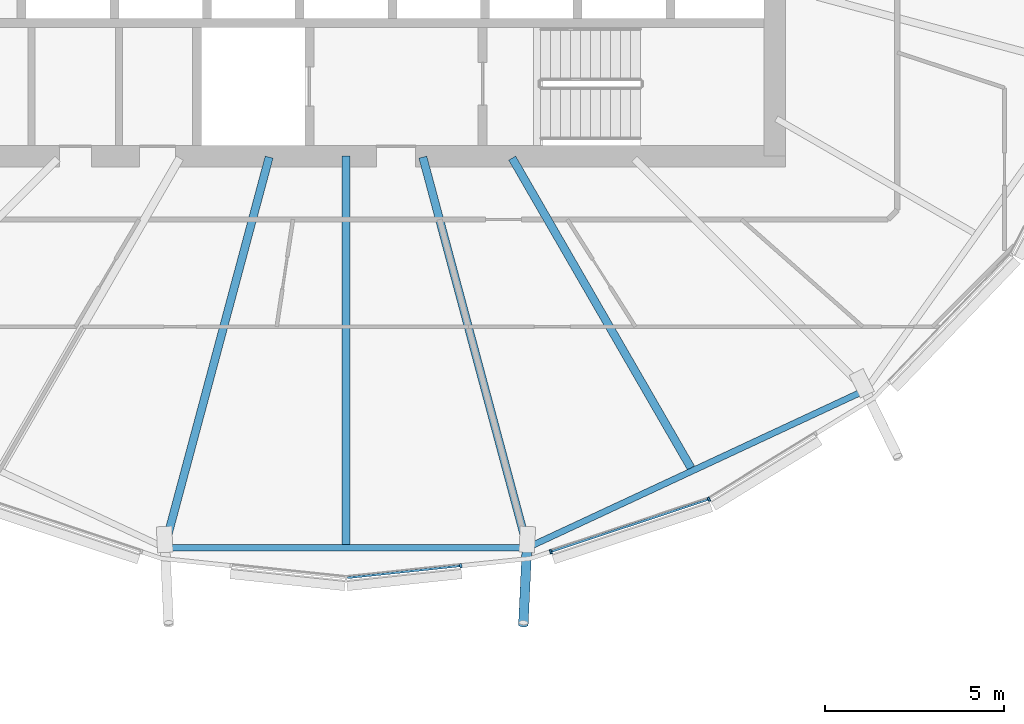
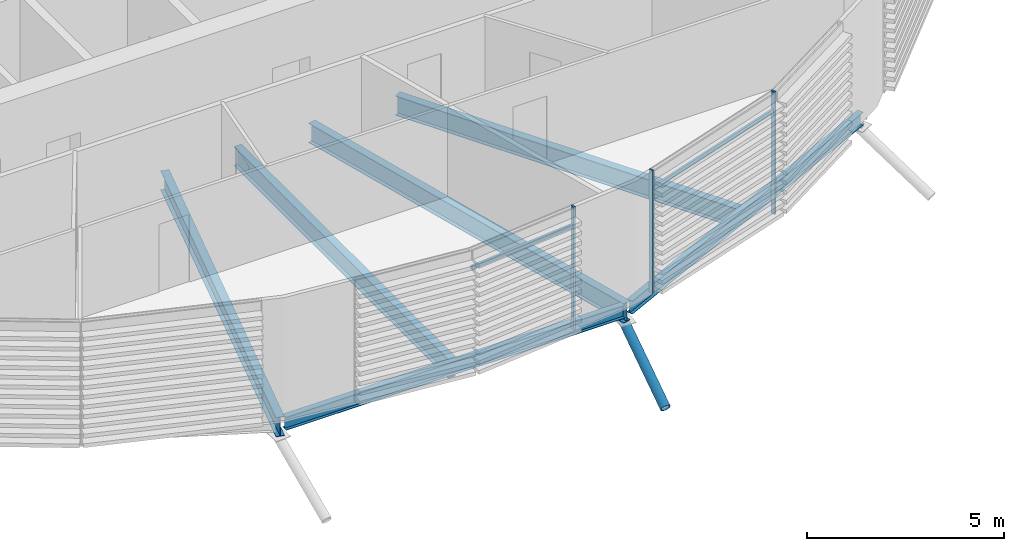
# One storey, part 4 of 36: 6 beams, 6 members, 1 element without a shape of its own.
"""IFC4 building model written with IfcOpenShell, lengths in metres."""

from ifc_helpers import new_model, si_unit, direction, frame, origin, origin_2d, place, context, subcontext, project, spatial, rectangle, hollow_circle, i_section, extrude, clip, halfspace, material, material_profile, profile_set, type_object, element, aggregate, save


model = new_model("IFC4")

# Units and contexts
model_context = context("Model", 3, precision=1e-05, world=origin(), true_north=direction((0.0, 1.0)))
body_context = subcontext(model_context, "Body", "Model", "MODEL_VIEW")
ifc_project = project(units=[si_unit("LENGTHUNIT", "METRE"), si_unit("AREAUNIT", "SQUARE_METRE"), si_unit("VOLUMEUNIT", "CUBIC_METRE"), si_unit("PLANEANGLEUNIT", "RADIAN"), si_unit("MASSUNIT", "GRAM", prefix="KILO")], contexts=[model_context])

# Site, building, storey
site_placement = place(None, origin())
site = spatial("IfcSite", under=ifc_project, at=site_placement, CompositionType="ELEMENT")
building_placement = place(site_placement, origin())
building = spatial("IfcBuilding", under=site, at=building_placement, Name="Rimbun Link Towers", CompositionType="ELEMENT")
storey_placement = place(building_placement, frame((0.0, 0.0, 174.10009765625)))
storey = spatial("IfcBuildingStorey", under=building, at=storey_placement, Name="L42", CompositionType="ELEMENT", Elevation=174.10009765625)

# Curtain wall, members
ifc_material_1 = material(Name="Aluminium 6063-T6 and low-iron glass", Category="aluminium")
curtain_wall_type = type_object("IfcCurtainWallType", Name="CW1-Z3 unitised vision wall (zone 3)", PredefinedType="NOTDEFINED", material=ifc_material_1)
curtain_wall_placement = place(storey_placement, origin())
curtain_wall = element("IfcCurtainWall", 1, at=curtain_wall_placement, inside=storey, type_object=curtain_wall_type, Name="CW1 L42 T1", PredefinedType="NOTDEFINED")
ifc_material_2 = material(Name="Aluminium 6063-T6", Category="aluminium")
ifc_material_profile_1 = material_profile(ifc_material_2, rectangle(XDim=0.1201171875, YDim=0.06005859375, at=origin_2d()), Name="MULLION 60X120")
ifc_profile_set_1 = profile_set([ifc_material_profile_1], Name="Aluminium 6063-T6")
member_type_1 = type_object("IfcMemberType", Name="CW1 mullion 60X120", PredefinedType="MULLION", material=ifc_profile_set_1)
member_1_placement = place(storey_placement, frame((-28.53662109375, -19.470458984375, 0.0), z_axis=(0.0, 0.0, 1.0), x_axis=(0.104737092036, -0.994499945476, 0.0)))
member_1 = element("IfcMember", 2, at=member_1_placement, type_object=member_type_1, Name="CW1 mullion", PredefinedType="MULLION", context=body_context, shape_type="SweptSolid", body=[
    extrude(rectangle(XDim=0.1201171875, YDim=0.06005859375, at=origin_2d()), origin(), (0.0, 0.0, 1.0), 3.7998046875),
])
member_2_placement = place(storey_placement, frame((-21.590087890625, -17.60791015625, 0.0), z_axis=(0.0, 0.0, 1.0), x_axis=(0.421696857655, -0.906736874867, 0.0)))
member_2 = element("IfcMember", 3, at=member_2_placement, type_object=member_type_1, Name="CW1 mullion", PredefinedType="MULLION", context=body_context, shape_type="SweptSolid", body=[
    extrude(rectangle(XDim=0.1201171875, YDim=0.06005859375, at=origin_2d()), origin(), (0.0, 0.0, 1.0), 3.7998046875),
])
member_3_placement = place(storey_placement, frame((-26.01513671875, -19.07470703125, 0.0), z_axis=(0.0, 0.0, 1.0), x_axis=(0.314560279601, -0.949237499521, 0.0)))
member_3 = element("IfcMember", 4, at=member_3_placement, type_object=member_type_1, Name="CW1 mullion", PredefinedType="MULLION", context=body_context, shape_type="SweptSolid", body=[
    extrude(rectangle(XDim=0.1201171875, YDim=0.06005859375, at=origin_2d()), origin(), (0.0, 0.0, 1.0), 3.7998046875),
])
ifc_material_3 = material(Name="Aluminium 6063-T6", Category="aluminium")
ifc_material_profile_2 = material_profile(ifc_material_3, rectangle(XDim=0.06005859375, YDim=0.1201171875, at=origin_2d()), Name="TRANSOM 60X120")
ifc_profile_set_2 = profile_set([ifc_material_profile_2], Name="Aluminium 6063-T6")
member_type_2 = type_object("IfcMemberType", Name="CW1 transom 60X120", PredefinedType="USERDEFINED", material=ifc_profile_set_2)
member_4_placement = place(storey_placement, frame((-28.566650390625, -19.4716796875, 3.199951171875), z_axis=(-0.994497841897, -0.104757064016, 0.0), x_axis=(0.104757064016, -0.994497841897, 0.0)))
member_4 = element("IfcMember", 5, at=member_4_placement, type_object=member_type_2, Name="CW1 transom", ObjectType="TRANSOM", PredefinedType="USERDEFINED", context=body_context, shape_type="SweptSolid", body=[
    extrude(rectangle(XDim=0.06005859375, YDim=0.1201171875, at=origin_2d()), origin(), (0.0, 0.0, 1.0), 3.164794921875),
])
member_5_placement = place(storey_placement, frame((-21.625732421875, -17.6181640625, 3.199951171875), z_axis=(-0.949239729091, -0.314553551426, 0.0), x_axis=(0.314553551426, -0.949239729091, 0.0)))
member_5 = element("IfcMember", 6, at=member_5_placement, type_object=member_type_2, Name="CW1 transom", ObjectType="TRANSOM", PredefinedType="USERDEFINED", context=body_context, shape_type="SweptSolid", body=[
    extrude(rectangle(XDim=0.06005859375, YDim=0.1201171875, at=origin_2d()), origin(), (0.0, 0.0, 1.0), 4.5947265625),
])
aggregate(curtain_wall, [member_1, member_2, member_3, member_4, member_5])

# Member
ifc_material_4 = material(Name="Steel S355J2H", Category="steel")
ifc_material_profile_3 = material_profile(ifc_material_4, hollow_circle(Radius=0.136474609375, WallThickness=0.012451171875, at=origin_2d()), Name="CHS 273x12.5")
ifc_profile_set_3 = profile_set([ifc_material_profile_3], Name="Steel S355J2H")
member_type_3 = type_object("IfcMemberType", Name="Floor edge link CHS 273x12.5", PredefinedType="BRACE", material=ifc_profile_set_3)
member_6_placement = place(storey_placement, frame((-26.68212890625, -18.913818359375, -0.8720703125), z_axis=(-0.040919470734, -0.875793032388, -0.480949229478), x_axis=(0.998910275526, -0.046671848569, 0.0)))
element("IfcMember", 7, at=member_6_placement, inside=storey, type_object=member_type_3, Name="Floor edge link T1 L42 19", PredefinedType="BRACE", context=body_context, shape_type="Clipping", body=[
    clip(extrude(hollow_circle(Radius=0.136474609375, WallThickness=0.012451171875, at=origin_2d()), frame((0.0, 0.0, -0.518310546875)), (0.0, 0.0, 1.0), 3.0361328125), halfspace(frame((0.0, 0.0, -0.244140625), z_axis=(0.0, 0.876748446628, -0.480949229478)), False)),
])

# Beams
ifc_material_5 = material(Name="Steel S355J2", Category="steel")
ifc_material_profile_4 = material_profile(ifc_material_5, i_section(OverallWidth=0.177978515625, OverallDepth=0.406494140625, WebThickness=0.0078125, FlangeThickness=0.0126953125, at=origin_2d()), Name="UB 406x178x60")
ifc_profile_set_4 = profile_set([ifc_material_profile_4], Name="Steel S355J2")
beam_type_1 = type_object("IfcBeamType", Name="UB 406x178x60", PredefinedType="BEAM", material=ifc_profile_set_4)
beam_1_placement = place(storey_placement, frame((-36.712158203125, -18.962158203125, -0.353271484375), z_axis=(1.0, 0.0, 0.0), x_axis=(0.0, 1.0, 0.0)))
element("IfcBeam", 8, at=beam_1_placement, inside=storey, type_object=beam_type_1, Name="Edge beam T1 L42 17-19", PredefinedType="BEAM", context=body_context, shape_type="SweptSolid", body=[
    extrude(i_section(OverallWidth=0.177978515625, OverallDepth=0.406494140625, WebThickness=0.0078125, FlangeThickness=0.0126953125, at=origin_2d()), origin(), (0.0, 0.0, 1.0), 9.92431640625),
])
beam_2_placement = place(storey_placement, frame((-26.5634765625, -18.912841796875, -0.353271484375), z_axis=(0.906407653758, 0.422404030768, 0.0), x_axis=(-0.422404030768, 0.906407653758, 0.0)))
element("IfcBeam", 9, at=beam_2_placement, inside=storey, type_object=beam_type_1, Name="Edge beam T1 L42 19-21", PredefinedType="BEAM", context=body_context, shape_type="SweptSolid", body=[
    extrude(i_section(OverallWidth=0.177978515625, OverallDepth=0.406494140625, WebThickness=0.0078125, FlangeThickness=0.0126953125, at=origin_2d()), origin(), (0.0, 0.0, 1.0), 10.217529296875),
])
ifc_material_6 = material(Name="Steel S355J2", Category="steel")
ifc_material_profile_5 = material_profile(ifc_material_6, i_section(OverallWidth=0.2275390625, OverallDepth=0.6025390625, WebThickness=0.010498046875, FlangeThickness=0.014892578125, at=origin_2d()), Name="UB 610x229x101")
ifc_profile_set_5 = profile_set([ifc_material_profile_5], Name="Steel S355J2")
beam_type_2 = type_object("IfcBeamType", Name="UB 610x229x101", PredefinedType="BEAM", material=ifc_profile_set_5)
beam_3_placement = place(storey_placement, frame((-33.901611328125, -8.030517578125, -0.451416015625), z_axis=(-0.258825223364, -0.965924170808, 0.0), x_axis=(0.965924170808, -0.258825223364, 0.0)))
element("IfcBeam", 10, at=beam_3_placement, inside=storey, type_object=beam_type_2, Name="Radial beam T1 L42 17", PredefinedType="BEAM", context=body_context, shape_type="SweptSolid", body=[
    extrude(i_section(OverallWidth=0.2275390625, OverallDepth=0.6025390625, WebThickness=0.010498046875, FlangeThickness=0.014892578125, at=origin_2d()), origin(), (0.0, 0.0, 1.0), 11.3173828125),
])
beam_4_placement = place(storey_placement, frame((-31.75, -8.0009765625, -0.451416015625), z_axis=(0.0, -1.0, 0.0), x_axis=(1.0, 0.0, 0.0)))
element("IfcBeam", 11, at=beam_4_placement, inside=storey, type_object=beam_type_2, Name="Radial beam T1 L42 18", PredefinedType="BEAM", context=body_context, shape_type="SweptSolid", body=[
    extrude(i_section(OverallWidth=0.2275390625, OverallDepth=0.6025390625, WebThickness=0.010498046875, FlangeThickness=0.014892578125, at=origin_2d()), origin(), (0.0, 0.0, 1.0), 10.871337890625),
])
beam_5_placement = place(storey_placement, frame((-29.598388671875, -8.030517578125, -0.451416015625), z_axis=(0.258825223364, -0.965924170808, 0.0), x_axis=(0.965924170808, 0.258825223364, 0.0)))
element("IfcBeam", 12, at=beam_5_placement, inside=storey, type_object=beam_type_2, Name="Radial beam T1 L42 19", PredefinedType="BEAM", context=body_context, shape_type="SweptSolid", body=[
    extrude(i_section(OverallWidth=0.2275390625, OverallDepth=0.6025390625, WebThickness=0.010498046875, FlangeThickness=0.014892578125, at=origin_2d()), origin(), (0.0, 0.0, 1.0), 11.3173828125),
])
beam_6_placement = place(storey_placement, frame((-27.097900390625, -8.057861328125, -0.451416015625), z_axis=(0.500001751638, -0.866024392473, 0.0), x_axis=(0.866024392473, 0.500001751638, 0.0)))
element("IfcBeam", 13, at=beam_6_placement, inside=storey, type_object=beam_type_2, Name="Radial beam T1 L42 20", PredefinedType="BEAM", context=body_context, shape_type="SweptSolid", body=[
    extrude(i_section(OverallWidth=0.2275390625, OverallDepth=0.6025390625, WebThickness=0.010498046875, FlangeThickness=0.014892578125, at=origin_2d()), origin(), (0.0, 0.0, 1.0), 10.01318359375),
])

save(model, "model.ifc")
